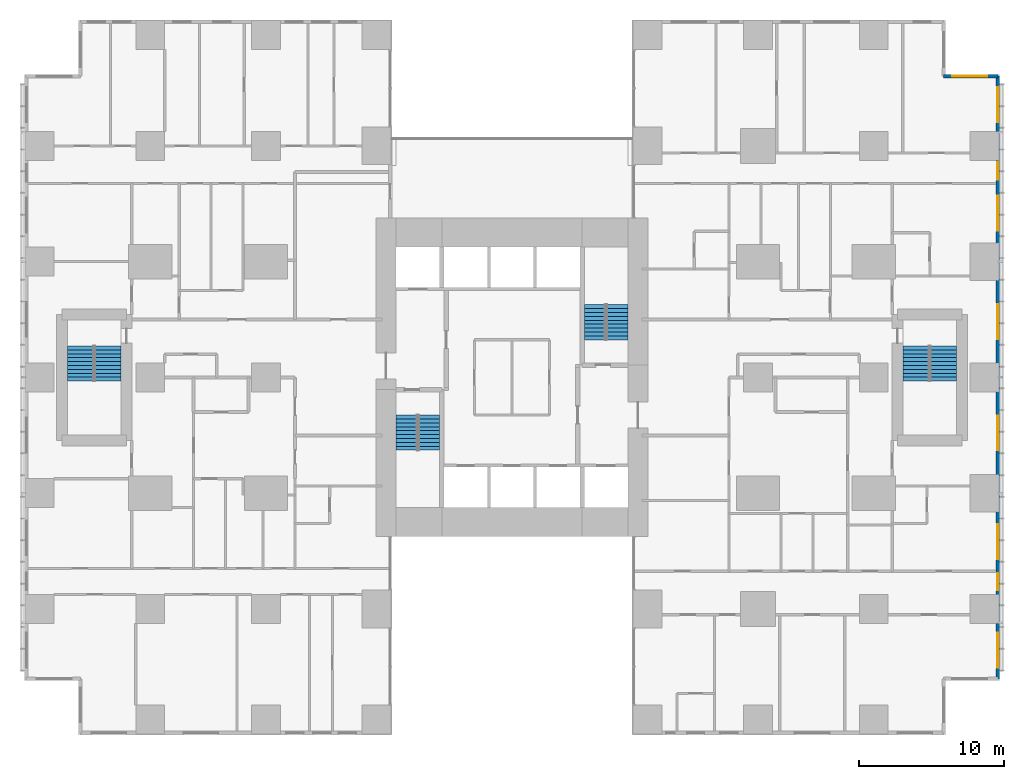
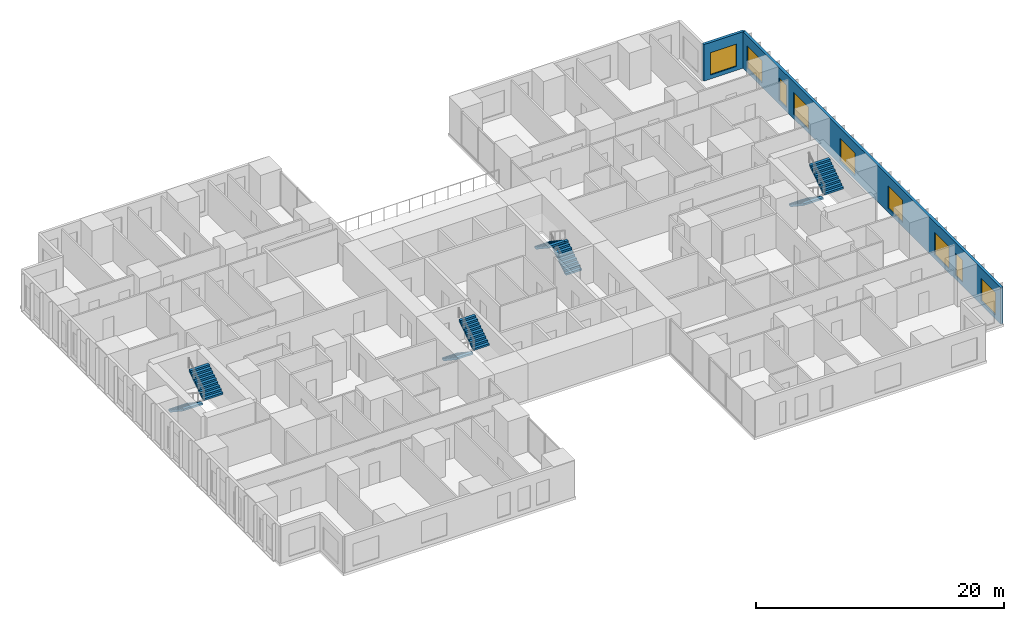
# One storey, part 19 of 20: 9 windows, 8 stair flights, 2 walls, 9 openings, 4 elements without a shape of their own.
"""IFC4 building model written with IfcOpenShell, lengths in metres."""

from ifc_helpers import new_model, si_unit, direction, frame, frame_2d, origin, place, context, subcontext, project, spatial, polyline, rectangle, outline, extrude, material, layer, layer_set, type_object, element, fill, aggregate, save


model = new_model("IFC4")

# Units and contexts
model_context = context("Model", 3, precision=1e-05, world=origin(), true_north=direction((0.0, 1.0)))
body_context = subcontext(model_context, "Body", "Model", "MODEL_VIEW")
ifc_project = project(units=[si_unit("LENGTHUNIT", "METRE"), si_unit("AREAUNIT", "SQUARE_METRE"), si_unit("VOLUMEUNIT", "CUBIC_METRE"), si_unit("PLANEANGLEUNIT", "RADIAN"), si_unit("MASSUNIT", "GRAM", prefix="KILO")], contexts=[model_context])

# Site, building, storey
site_placement = place(None, origin())
site = spatial("IfcSite", under=ifc_project, at=site_placement, CompositionType="ELEMENT")
building_placement = place(site_placement, origin())
building = spatial("IfcBuilding", under=site, at=building_placement, Name="Cleftline Residences", CompositionType="ELEMENT")
storey_placement = place(building_placement, frame((0.0, 0.0, 96.199951171875)))
storey = spatial("IfcBuildingStorey", under=building, at=storey_placement, Name="L24", CompositionType="ELEMENT", Elevation=96.199951171875)

# Wall, openings, windows
ifc_material_1 = material(Name="Rendered reinforced concrete blockwork", Category="masonry")
ifc_layer = layer(ifc_material_1, 0.25)
ifc_layer_set = layer_set([ifc_layer], Name="EXTERNAL WALL 250")
wall_type = type_object("IfcWallType", Name="EXTERNAL WALL 250", PredefinedType="SOLIDWALL", material=ifc_layer_set)
wall_1_placement = place(storey_placement, frame((66.574951171875, 3.175048828125, 0.0), z_axis=(0.0, 0.0, 1.0), x_axis=(0.0, 1.0, 0.0)))
wall_1 = element("IfcWall", 1, at=wall_1_placement, inside=storey, type_object=wall_type, Name="External wall", PredefinedType="SOLIDWALL", context=body_context, shape_type="SweptSolid", body=[
    extrude(rectangle(XDim=41.64990234375, YDim=0.25, at=frame_2d((20.824951171875, 0.0))), origin(), (0.0, 0.0, 1.0), 3.60009765625),
])
opening_1_placement = place(wall_1_placement, frame((0.77490234375, 0.0, 0.39990234375)))
opening_1 = element("IfcOpeningElement", 2, at=opening_1_placement, cuts=wall_1, Name="Opening W12", PredefinedType="OPENING", context=body_context, shape_type="SweptSolid", body=[
    extrude(rectangle(XDim=2.39990234375, YDim=2.199951171875, at=frame_2d((1.199951171875, 1.10009765625))), frame((0.0, 0.135009765625, 0.0), z_axis=(0.0, -1.0, 0.0), x_axis=(1.0, 0.0, 0.0)), (0.0, 0.0, 1.0), 0.27001953125),
])
opening_2_placement = place(wall_1_placement, frame((6.10009765625, 0.0, 0.39990234375)))
opening_2 = element("IfcOpeningElement", 3, at=opening_2_placement, cuts=wall_1, Name="Opening W11", PredefinedType="OPENING", context=body_context, shape_type="SweptSolid", body=[
    extrude(rectangle(XDim=1.199951171875, YDim=2.199951171875, at=frame_2d((0.60009765625, 1.10009765625))), frame((0.0, 0.135009765625, 0.0), z_axis=(0.0, -1.0, 0.0), x_axis=(1.0, 0.0, 0.0)), (0.0, 0.0, 1.0), 0.27001953125),
])
opening_3_placement = place(wall_1_placement, frame((8.27490234375, 0.0, 0.39990234375)))
opening_3 = element("IfcOpeningElement", 4, at=opening_3_placement, cuts=wall_1, Name="Opening W12", PredefinedType="OPENING", context=body_context, shape_type="SweptSolid", body=[
    extrude(rectangle(XDim=2.39990234375, YDim=2.199951171875, at=frame_2d((1.199951171875, 1.10009765625))), frame((0.0, 0.135009765625, 0.0), z_axis=(0.0, -1.0, 0.0), x_axis=(1.0, 0.0, 0.0)), (0.0, 0.0, 1.0), 0.27001953125),
])
opening_4_placement = place(wall_1_placement, frame((15.77490234375, 0.0, 0.39990234375)))
opening_4 = element("IfcOpeningElement", 5, at=opening_4_placement, cuts=wall_1, Name="Opening W12", PredefinedType="OPENING", context=body_context, shape_type="SweptSolid", body=[
    extrude(rectangle(XDim=2.39990234375, YDim=2.199951171875, at=frame_2d((1.199951171875, 1.10009765625))), frame((0.0, 0.135009765625, 0.0), z_axis=(0.0, -1.0, 0.0), x_axis=(1.0, 0.0, 0.0)), (0.0, 0.0, 1.0), 0.27001953125),
])
opening_5_placement = place(wall_1_placement, frame((23.47509765625, 0.0, 0.39990234375)))
opening_5 = element("IfcOpeningElement", 6, at=opening_5_placement, cuts=wall_1, Name="Opening W12", PredefinedType="OPENING", context=body_context, shape_type="SweptSolid", body=[
    extrude(rectangle(XDim=2.39990234375, YDim=2.199951171875, at=frame_2d((1.199951171875, 1.10009765625))), frame((0.0, 0.135009765625, 0.0), z_axis=(0.0, -1.0, 0.0), x_axis=(1.0, 0.0, 0.0)), (0.0, 0.0, 1.0), 0.27001953125),
])
opening_6_placement = place(wall_1_placement, frame((30.97509765625, 0.0, 0.39990234375)))
opening_6 = element("IfcOpeningElement", 7, at=opening_6_placement, cuts=wall_1, Name="Opening W12", PredefinedType="OPENING", context=body_context, shape_type="SweptSolid", body=[
    extrude(rectangle(XDim=2.39990234375, YDim=2.199951171875, at=frame_2d((1.199951171875, 1.10009765625))), frame((0.0, 0.135009765625, 0.0), z_axis=(0.0, -1.0, 0.0), x_axis=(1.0, 0.0, 0.0)), (0.0, 0.0, 1.0), 0.27001953125),
])
opening_7_placement = place(wall_1_placement, frame((34.5, 0.0, 0.39990234375)))
opening_7 = element("IfcOpeningElement", 8, at=opening_7_placement, cuts=wall_1, Name="Opening W11", PredefinedType="OPENING", context=body_context, shape_type="SweptSolid", body=[
    extrude(rectangle(XDim=1.199951171875, YDim=2.199951171875, at=frame_2d((0.60009765625, 1.10009765625))), frame((0.0, 0.135009765625, 0.0), z_axis=(0.0, -1.0, 0.0), x_axis=(1.0, 0.0, 0.0)), (0.0, 0.0, 1.0), 0.27001953125),
])
opening_8_placement = place(wall_1_placement, frame((38.47509765625, 0.0, 0.39990234375)))
opening_8 = element("IfcOpeningElement", 9, at=opening_8_placement, cuts=wall_1, Name="Opening W12", PredefinedType="OPENING", context=body_context, shape_type="SweptSolid", body=[
    extrude(rectangle(XDim=2.39990234375, YDim=2.199951171875, at=frame_2d((1.199951171875, 1.10009765625))), frame((0.0, 0.135009765625, 0.0), z_axis=(0.0, -1.0, 0.0), x_axis=(1.0, 0.0, 0.0)), (0.0, 0.0, 1.0), 0.27001953125),
])
ifc_material_2 = material(Name="Aluminium frame, clear double glazing", Category="aluminium")
window_type_1 = type_object("IfcWindowType", Name="WINDOW 1200X2200", PartitioningType="DOUBLE_PANEL_VERTICAL", PredefinedType="WINDOW", material=ifc_material_2)
window_1_placement = place(opening_2_placement, origin())
window_1 = element("IfcWindow", 10, at=window_1_placement, inside=storey, type_object=window_type_1, Name="Window", OverallHeight=2.199951171875, OverallWidth=1.199951171875, PartitioningType="SINGLE_PANEL", PredefinedType="WINDOW", context=body_context, shape_type="SweptSolid", body=[
    extrude(rectangle(XDim=1.199951171875, YDim=2.199951171875, at=frame_2d((0.60009765625, 1.10009765625))), frame((0.0, 0.030029296875, 0.0), z_axis=(0.0, -1.0, 0.0), x_axis=(1.0, 0.0, 0.0)), (0.0, 0.0, 1.0), 0.06005859375),
])
fill(opening_2, window_1)
window_2_placement = place(opening_7_placement, origin())
window_2 = element("IfcWindow", 11, at=window_2_placement, inside=storey, type_object=window_type_1, Name="Window", OverallHeight=2.199951171875, OverallWidth=1.199951171875, PartitioningType="SINGLE_PANEL", PredefinedType="WINDOW", context=body_context, shape_type="SweptSolid", body=[
    extrude(rectangle(XDim=1.199951171875, YDim=2.199951171875, at=frame_2d((0.60009765625, 1.10009765625))), frame((0.0, 0.030029296875, 0.0), z_axis=(0.0, -1.0, 0.0), x_axis=(1.0, 0.0, 0.0)), (0.0, 0.0, 1.0), 0.06005859375),
])
fill(opening_7, window_2)
ifc_material_3 = material(Name="Aluminium frame, clear double glazing", Category="aluminium")
window_type_2 = type_object("IfcWindowType", Name="WINDOW 2400X2200", PartitioningType="DOUBLE_PANEL_VERTICAL", PredefinedType="WINDOW", material=ifc_material_3)
window_3_placement = place(opening_1_placement, origin())
window_3 = element("IfcWindow", 12, at=window_3_placement, inside=storey, type_object=window_type_2, Name="Window", OverallHeight=2.199951171875, OverallWidth=2.39990234375, PartitioningType="SINGLE_PANEL", PredefinedType="WINDOW", context=body_context, shape_type="SweptSolid", body=[
    extrude(rectangle(XDim=2.39990234375, YDim=2.199951171875, at=frame_2d((1.199951171875, 1.10009765625))), frame((0.0, 0.030029296875, 0.0), z_axis=(0.0, -1.0, 0.0), x_axis=(1.0, 0.0, 0.0)), (0.0, 0.0, 1.0), 0.06005859375),
])
fill(opening_1, window_3)
window_4_placement = place(opening_3_placement, origin())
window_4 = element("IfcWindow", 13, at=window_4_placement, inside=storey, type_object=window_type_2, Name="Window", OverallHeight=2.199951171875, OverallWidth=2.39990234375, PartitioningType="SINGLE_PANEL", PredefinedType="WINDOW", context=body_context, shape_type="SweptSolid", body=[
    extrude(rectangle(XDim=2.39990234375, YDim=2.199951171875, at=frame_2d((1.199951171875, 1.10009765625))), frame((0.0, 0.030029296875, 0.0), z_axis=(0.0, -1.0, 0.0), x_axis=(1.0, 0.0, 0.0)), (0.0, 0.0, 1.0), 0.06005859375),
])
fill(opening_3, window_4)
window_5_placement = place(opening_4_placement, origin())
window_5 = element("IfcWindow", 14, at=window_5_placement, inside=storey, type_object=window_type_2, Name="Window", OverallHeight=2.199951171875, OverallWidth=2.39990234375, PartitioningType="SINGLE_PANEL", PredefinedType="WINDOW", context=body_context, shape_type="SweptSolid", body=[
    extrude(rectangle(XDim=2.39990234375, YDim=2.199951171875, at=frame_2d((1.199951171875, 1.10009765625))), frame((0.0, 0.030029296875, 0.0), z_axis=(0.0, -1.0, 0.0), x_axis=(1.0, 0.0, 0.0)), (0.0, 0.0, 1.0), 0.06005859375),
])
fill(opening_4, window_5)
window_6_placement = place(opening_5_placement, origin())
window_6 = element("IfcWindow", 15, at=window_6_placement, inside=storey, type_object=window_type_2, Name="Window", OverallHeight=2.199951171875, OverallWidth=2.39990234375, PartitioningType="SINGLE_PANEL", PredefinedType="WINDOW", context=body_context, shape_type="SweptSolid", body=[
    extrude(rectangle(XDim=2.39990234375, YDim=2.199951171875, at=frame_2d((1.199951171875, 1.10009765625))), frame((0.0, 0.030029296875, 0.0), z_axis=(0.0, -1.0, 0.0), x_axis=(1.0, 0.0, 0.0)), (0.0, 0.0, 1.0), 0.06005859375),
])
fill(opening_5, window_6)
window_7_placement = place(opening_6_placement, origin())
window_7 = element("IfcWindow", 16, at=window_7_placement, inside=storey, type_object=window_type_2, Name="Window", OverallHeight=2.199951171875, OverallWidth=2.39990234375, PartitioningType="SINGLE_PANEL", PredefinedType="WINDOW", context=body_context, shape_type="SweptSolid", body=[
    extrude(rectangle(XDim=2.39990234375, YDim=2.199951171875, at=frame_2d((1.199951171875, 1.10009765625))), frame((0.0, 0.030029296875, 0.0), z_axis=(0.0, -1.0, 0.0), x_axis=(1.0, 0.0, 0.0)), (0.0, 0.0, 1.0), 0.06005859375),
])
fill(opening_6, window_7)
window_8_placement = place(opening_8_placement, origin())
window_8 = element("IfcWindow", 17, at=window_8_placement, inside=storey, type_object=window_type_2, Name="Window", OverallHeight=2.199951171875, OverallWidth=2.39990234375, PartitioningType="SINGLE_PANEL", PredefinedType="WINDOW", context=body_context, shape_type="SweptSolid", body=[
    extrude(rectangle(XDim=2.39990234375, YDim=2.199951171875, at=frame_2d((1.199951171875, 1.10009765625))), frame((0.0, 0.030029296875, 0.0), z_axis=(0.0, -1.0, 0.0), x_axis=(1.0, 0.0, 0.0)), (0.0, 0.0, 1.0), 0.06005859375),
])
fill(opening_8, window_8)

# Wall, opening, window
wall_2_placement = place(storey_placement, frame((66.574951171875, 44.824951171875, 0.0), z_axis=(0.0, 0.0, 1.0), x_axis=(-1.0, 0.0, 0.0)))
wall_2 = element("IfcWall", 18, at=wall_2_placement, inside=storey, type_object=wall_type, Name="External wall", PredefinedType="SOLIDWALL", context=body_context, shape_type="SweptSolid", body=[
    extrude(rectangle(XDim=3.75, YDim=0.25, at=frame_2d((1.875, 0.0))), origin(), (0.0, 0.0, 1.0), 3.60009765625),
])
opening_9_placement = place(wall_2_placement, frame((0.737548828125, 0.0, 0.39990234375)))
opening_9 = element("IfcOpeningElement", 19, at=opening_9_placement, cuts=wall_2, Name="Opening W12", PredefinedType="OPENING", context=body_context, shape_type="SweptSolid", body=[
    extrude(rectangle(XDim=2.39990234375, YDim=2.199951171875, at=frame_2d((1.199951171875, 1.10009765625))), frame((0.0, 0.135009765625, 0.0), z_axis=(0.0, -1.0, 0.0), x_axis=(1.0, 0.0, 0.0)), (0.0, 0.0, 1.0), 0.27001953125),
])
window_9_placement = place(opening_9_placement, origin())
window_9 = element("IfcWindow", 20, at=window_9_placement, inside=storey, type_object=window_type_2, Name="Window", OverallHeight=2.199951171875, OverallWidth=2.39990234375, PartitioningType="SINGLE_PANEL", PredefinedType="WINDOW", context=body_context, shape_type="SweptSolid", body=[
    extrude(rectangle(XDim=2.39990234375, YDim=2.199951171875, at=frame_2d((1.199951171875, 1.10009765625))), frame((0.0, 0.030029296875, 0.0), z_axis=(0.0, -1.0, 0.0), x_axis=(1.0, 0.0, 0.0)), (0.0, 0.0, 1.0), 0.06005859375),
])
fill(opening_9, window_9)

# Stair, stair flights
ifc_material_4 = material(Name="Concrete B45, stone treads", Category="masonry")
stair_type_1 = type_object("IfcStairType", Name="STAIR A 1450 WIDE 180 RISER", PredefinedType="HALF_TURN_STAIR", material=ifc_material_4)
stair_1_placement = place(storey_placement, origin())
stair_1 = element("IfcStair", 21, at=stair_1_placement, inside=storey, type_object=stair_type_1, Name="Stair A L24", PredefinedType="HALF_TURN_STAIR")
ifc_material_5 = material(Name="Concrete B45", Category="concrete")
stair_flight_type_1 = type_object("IfcStairFlightType", Name="STAIR A FLIGHT 1450X180", PredefinedType="STRAIGHT", material=ifc_material_5)
stair_flight_1_placement = place(storey_placement, frame((25.72509765625, 21.39990234375, 0.0), z_axis=(0.0, 0.0, 1.0), x_axis=(0.0, -1.0, 0.0)))
stair_flight_1 = element("IfcStairFlight", 22, at=stair_flight_1_placement, type_object=stair_flight_type_1, Name="ST-A flight 1", NumberOfRisers=10, NumberOfTreads=9, PredefinedType="STRAIGHT", RiserHeight=0.18, TreadLength=0.27, context=body_context, shape_type="SweptSolid", body=[
    extrude(outline(polyline([(0.0, 0.0), (0.0, 0.013916015625), (0.0, 0.027587890625), (0.0, 0.04150390625), (0.0, 0.055419921875), (0.0, 0.0693359375), (0.0, 0.0830078125), (0.0, 0.096923828125), (0.0, 0.11083984375), (0.0, 0.12451171875), (0.0, 0.138427734375), (0.0, 0.15234375), (0.0, 0.166259765625), (0.0, 0.179931640625), (0.27001953125, 0.179931640625), (0.27001953125, 0.360107421875), (0.5400390625, 0.360107421875), (0.5400390625, 0.5400390625), (0.81005859375, 0.5400390625), (0.81005859375, 0.719970703125), (1.080078125, 0.719970703125), (1.080078125, 0.89990234375), (1.35009765625, 0.89990234375), (1.35009765625, 1.080078125), (1.6201171875, 1.080078125), (1.6201171875, 1.260009765625), (1.889892578125, 1.260009765625), (1.889892578125, 1.43994140625), (2.159912109375, 1.43994140625), (2.159912109375, 1.6201171875), (2.429931640625, 1.6201171875), (2.429931640625, 1.800048828125), (2.429931640625, 1.772216796875), (2.429931640625, 1.74462890625), (2.429931640625, 1.716796875), (2.429931640625, 1.689208984375), (2.429931640625, 1.661376953125), (2.429931640625, 1.6337890625), (2.429931640625, 1.60595703125), (2.429931640625, 1.578369140625), (2.429931640625, 1.550537109375), (2.429931640625, 1.52294921875), (2.429931640625, 1.495361328125), (2.429931640625, 1.467529296875), (2.429931640625, 1.43994140625), (0.270263671875, 0.0), (0.0, 0.0)])), frame((0.0, 0.72509765625, 0.0), z_axis=(0.0, -1.0, 0.0), x_axis=(1.0, 0.0, 0.0)), (0.0, 0.0, 1.0), 1.449951171875),
])
stair_flight_2_placement = place(storey_placement, frame((27.27490234375, 18.969970703125, 1.800048828125), z_axis=(0.0, 0.0, 1.0), x_axis=(0.0, 1.0, 0.0)))
stair_flight_2 = element("IfcStairFlight", 23, at=stair_flight_2_placement, type_object=stair_flight_type_1, Name="ST-A flight 2", NumberOfRisers=10, NumberOfTreads=9, PredefinedType="STRAIGHT", RiserHeight=0.18, TreadLength=0.27, context=body_context, shape_type="SweptSolid", body=[
    extrude(outline(polyline([(0.0, 0.0), (0.0, 0.013916015625), (0.0, 0.027587890625), (0.0, 0.04150390625), (0.0, 0.055419921875), (0.0, 0.0693359375), (0.0, 0.0830078125), (0.0, 0.096923828125), (0.0, 0.11083984375), (0.0, 0.12451171875), (0.0, 0.138427734375), (0.0, 0.15234375), (0.0, 0.166259765625), (0.0, 0.179931640625), (0.27001953125, 0.179931640625), (0.27001953125, 0.360107421875), (0.5400390625, 0.360107421875), (0.5400390625, 0.5400390625), (0.81005859375, 0.5400390625), (0.81005859375, 0.719970703125), (1.080078125, 0.719970703125), (1.080078125, 0.89990234375), (1.35009765625, 0.89990234375), (1.35009765625, 1.080078125), (1.6201171875, 1.080078125), (1.6201171875, 1.260009765625), (1.889892578125, 1.260009765625), (1.889892578125, 1.43994140625), (2.159912109375, 1.43994140625), (2.159912109375, 1.6201171875), (2.429931640625, 1.6201171875), (2.429931640625, 1.800048828125), (2.429931640625, 1.772216796875), (2.429931640625, 1.74462890625), (2.429931640625, 1.716796875), (2.429931640625, 1.689208984375), (2.429931640625, 1.661376953125), (2.429931640625, 1.6337890625), (2.429931640625, 1.60595703125), (2.429931640625, 1.578369140625), (2.429931640625, 1.550537109375), (2.429931640625, 1.52294921875), (2.429931640625, 1.495361328125), (2.429931640625, 1.467529296875), (2.429931640625, 1.43994140625), (0.270263671875, 0.0), (0.0, 0.0)])), frame((0.0, 0.72509765625, 0.0), z_axis=(0.0, -1.0, 0.0), x_axis=(1.0, 0.0, 0.0)), (0.0, 0.0, 1.0), 1.449951171875),
])
aggregate(stair_1, [stair_flight_1, stair_flight_2])

ifc_material_6 = material(Name="Concrete B45, stone treads", Category="masonry")
stair_type_2 = type_object("IfcStairType", Name="STAIR B 1450 WIDE 180 RISER", PredefinedType="HALF_TURN_STAIR", material=ifc_material_6)
stair_2_placement = place(storey_placement, origin())
stair_2 = element("IfcStair", 24, at=stair_2_placement, inside=storey, type_object=stair_type_2, Name="Stair B L24", PredefinedType="HALF_TURN_STAIR")
ifc_material_7 = material(Name="Concrete B45", Category="concrete")
stair_flight_type_2 = type_object("IfcStairFlightType", Name="STAIR B FLIGHT 1450X180", PredefinedType="STRAIGHT", material=ifc_material_7)
stair_flight_3_placement = place(storey_placement, frame((40.27490234375, 26.60009765625, 0.0), z_axis=(0.0, 0.0, 1.0), x_axis=(0.0, 1.0, 0.0)))
stair_flight_3 = element("IfcStairFlight", 25, at=stair_flight_3_placement, type_object=stair_flight_type_2, Name="ST-B flight 1", NumberOfRisers=10, NumberOfTreads=9, PredefinedType="STRAIGHT", RiserHeight=0.18, TreadLength=0.27, context=body_context, shape_type="SweptSolid", body=[
    extrude(outline(polyline([(0.0, 0.0), (0.0, 0.013916015625), (0.0, 0.027587890625), (0.0, 0.04150390625), (0.0, 0.055419921875), (0.0, 0.0693359375), (0.0, 0.0830078125), (0.0, 0.096923828125), (0.0, 0.11083984375), (0.0, 0.12451171875), (0.0, 0.138427734375), (0.0, 0.15234375), (0.0, 0.166259765625), (0.0, 0.179931640625), (0.27001953125, 0.179931640625), (0.27001953125, 0.360107421875), (0.5400390625, 0.360107421875), (0.5400390625, 0.5400390625), (0.81005859375, 0.5400390625), (0.81005859375, 0.719970703125), (1.080078125, 0.719970703125), (1.080078125, 0.89990234375), (1.35009765625, 0.89990234375), (1.35009765625, 1.080078125), (1.6201171875, 1.080078125), (1.6201171875, 1.260009765625), (1.889892578125, 1.260009765625), (1.889892578125, 1.43994140625), (2.159912109375, 1.43994140625), (2.159912109375, 1.6201171875), (2.429931640625, 1.6201171875), (2.429931640625, 1.800048828125), (2.429931640625, 1.772216796875), (2.429931640625, 1.74462890625), (2.429931640625, 1.716796875), (2.429931640625, 1.689208984375), (2.429931640625, 1.661376953125), (2.429931640625, 1.6337890625), (2.429931640625, 1.60595703125), (2.429931640625, 1.578369140625), (2.429931640625, 1.550537109375), (2.429931640625, 1.52294921875), (2.429931640625, 1.495361328125), (2.429931640625, 1.467529296875), (2.429931640625, 1.43994140625), (0.270263671875, 0.0), (0.0, 0.0)])), frame((0.0, 0.72509765625, 0.0), z_axis=(0.0, -1.0, 0.0), x_axis=(1.0, 0.0, 0.0)), (0.0, 0.0, 1.0), 1.449951171875),
])
stair_flight_4_placement = place(storey_placement, frame((38.72509765625, 29.030029296875, 1.800048828125), z_axis=(0.0, 0.0, 1.0), x_axis=(0.0, -1.0, 0.0)))
stair_flight_4 = element("IfcStairFlight", 26, at=stair_flight_4_placement, type_object=stair_flight_type_2, Name="ST-B flight 2", NumberOfRisers=10, NumberOfTreads=9, PredefinedType="STRAIGHT", RiserHeight=0.18, TreadLength=0.27, context=body_context, shape_type="SweptSolid", body=[
    extrude(outline(polyline([(0.0, 0.0), (0.0, 0.013916015625), (0.0, 0.027587890625), (0.0, 0.04150390625), (0.0, 0.055419921875), (0.0, 0.0693359375), (0.0, 0.0830078125), (0.0, 0.096923828125), (0.0, 0.11083984375), (0.0, 0.12451171875), (0.0, 0.138427734375), (0.0, 0.15234375), (0.0, 0.166259765625), (0.0, 0.179931640625), (0.27001953125, 0.179931640625), (0.27001953125, 0.360107421875), (0.5400390625, 0.360107421875), (0.5400390625, 0.5400390625), (0.81005859375, 0.5400390625), (0.81005859375, 0.719970703125), (1.080078125, 0.719970703125), (1.080078125, 0.89990234375), (1.35009765625, 0.89990234375), (1.35009765625, 1.080078125), (1.6201171875, 1.080078125), (1.6201171875, 1.260009765625), (1.889892578125, 1.260009765625), (1.889892578125, 1.43994140625), (2.159912109375, 1.43994140625), (2.159912109375, 1.6201171875), (2.429931640625, 1.6201171875), (2.429931640625, 1.800048828125), (2.429931640625, 1.772216796875), (2.429931640625, 1.74462890625), (2.429931640625, 1.716796875), (2.429931640625, 1.689208984375), (2.429931640625, 1.661376953125), (2.429931640625, 1.6337890625), (2.429931640625, 1.60595703125), (2.429931640625, 1.578369140625), (2.429931640625, 1.550537109375), (2.429931640625, 1.52294921875), (2.429931640625, 1.495361328125), (2.429931640625, 1.467529296875), (2.429931640625, 1.43994140625), (0.270263671875, 0.0), (0.0, 0.0)])), frame((0.0, 0.72509765625, 0.0), z_axis=(0.0, -1.0, 0.0), x_axis=(1.0, 0.0, 0.0)), (0.0, 0.0, 1.0), 1.449951171875),
])
aggregate(stair_2, [stair_flight_3, stair_flight_4])

ifc_material_8 = material(Name="Concrete B45, stone treads", Category="masonry")
stair_type_3 = type_object("IfcStairType", Name="STAIR E 1800 WIDE 180 RISER", PredefinedType="HALF_TURN_STAIR", material=ifc_material_8)
stair_3_placement = place(storey_placement, origin())
stair_3 = element("IfcStair", 27, at=stair_3_placement, inside=storey, type_object=stair_type_3, Name="Stair E L24", PredefinedType="HALF_TURN_STAIR")
ifc_material_9 = material(Name="Concrete B45", Category="concrete")
stair_flight_type_3 = type_object("IfcStairFlightType", Name="STAIR E FLIGHT 1800X180", PredefinedType="STRAIGHT", material=ifc_material_9)
stair_flight_5_placement = place(storey_placement, frame((60.925048828125, 26.175048828125, 0.0), z_axis=(0.0, 0.0, 1.0), x_axis=(0.0, -1.0, 0.0)))
stair_flight_5 = element("IfcStairFlight", 28, at=stair_flight_5_placement, type_object=stair_flight_type_3, Name="ST-E flight 1", NumberOfRisers=10, NumberOfTreads=9, PredefinedType="STRAIGHT", RiserHeight=0.18, TreadLength=0.27, context=body_context, shape_type="SweptSolid", body=[
    extrude(outline(polyline([(0.0, 0.0), (0.0, 0.013916015625), (0.0, 0.027587890625), (0.0, 0.04150390625), (0.0, 0.055419921875), (0.0, 0.0693359375), (0.0, 0.0830078125), (0.0, 0.096923828125), (0.0, 0.11083984375), (0.0, 0.12451171875), (0.0, 0.138427734375), (0.0, 0.15234375), (0.0, 0.166259765625), (0.0, 0.179931640625), (0.27001953125, 0.179931640625), (0.27001953125, 0.360107421875), (0.5400390625, 0.360107421875), (0.5400390625, 0.5400390625), (0.81005859375, 0.5400390625), (0.81005859375, 0.719970703125), (1.080078125, 0.719970703125), (1.080078125, 0.89990234375), (1.35009765625, 0.89990234375), (1.35009765625, 1.080078125), (1.6201171875, 1.080078125), (1.6201171875, 1.260009765625), (1.889892578125, 1.260009765625), (1.889892578125, 1.43994140625), (2.159912109375, 1.43994140625), (2.159912109375, 1.6201171875), (2.429931640625, 1.6201171875), (2.429931640625, 1.800048828125), (2.429931640625, 1.772216796875), (2.429931640625, 1.74462890625), (2.429931640625, 1.716796875), (2.429931640625, 1.689208984375), (2.429931640625, 1.661376953125), (2.429931640625, 1.6337890625), (2.429931640625, 1.60595703125), (2.429931640625, 1.578369140625), (2.429931640625, 1.550537109375), (2.429931640625, 1.52294921875), (2.429931640625, 1.495361328125), (2.429931640625, 1.467529296875), (2.429931640625, 1.43994140625), (0.270263671875, 0.0), (0.0, 0.0)])), frame((0.0, 0.89990234375, 0.0), z_axis=(0.0, -1.0, 0.0), x_axis=(1.0, 0.0, 0.0)), (0.0, 0.0, 1.0), 1.800048828125),
])
stair_flight_6_placement = place(storey_placement, frame((62.824951171875, 23.7451171875, 1.800048828125), z_axis=(0.0, 0.0, 1.0), x_axis=(0.0, 1.0, 0.0)))
stair_flight_6 = element("IfcStairFlight", 29, at=stair_flight_6_placement, type_object=stair_flight_type_3, Name="ST-E flight 2", NumberOfRisers=10, NumberOfTreads=9, PredefinedType="STRAIGHT", RiserHeight=0.18, TreadLength=0.27, context=body_context, shape_type="SweptSolid", body=[
    extrude(outline(polyline([(0.0, 0.0), (0.0, 0.013916015625), (0.0, 0.027587890625), (0.0, 0.04150390625), (0.0, 0.055419921875), (0.0, 0.0693359375), (0.0, 0.0830078125), (0.0, 0.096923828125), (0.0, 0.11083984375), (0.0, 0.12451171875), (0.0, 0.138427734375), (0.0, 0.15234375), (0.0, 0.166259765625), (0.0, 0.179931640625), (0.27001953125, 0.179931640625), (0.27001953125, 0.360107421875), (0.5400390625, 0.360107421875), (0.5400390625, 0.5400390625), (0.81005859375, 0.5400390625), (0.81005859375, 0.719970703125), (1.080078125, 0.719970703125), (1.080078125, 0.89990234375), (1.35009765625, 0.89990234375), (1.35009765625, 1.080078125), (1.6201171875, 1.080078125), (1.6201171875, 1.260009765625), (1.889892578125, 1.260009765625), (1.889892578125, 1.43994140625), (2.159912109375, 1.43994140625), (2.159912109375, 1.6201171875), (2.429931640625, 1.6201171875), (2.429931640625, 1.800048828125), (2.429931640625, 1.772216796875), (2.429931640625, 1.74462890625), (2.429931640625, 1.716796875), (2.429931640625, 1.689208984375), (2.429931640625, 1.661376953125), (2.429931640625, 1.6337890625), (2.429931640625, 1.60595703125), (2.429931640625, 1.578369140625), (2.429931640625, 1.550537109375), (2.429931640625, 1.52294921875), (2.429931640625, 1.495361328125), (2.429931640625, 1.467529296875), (2.429931640625, 1.43994140625), (0.270263671875, 0.0), (0.0, 0.0)])), frame((0.0, 0.89990234375, 0.0), z_axis=(0.0, -1.0, 0.0), x_axis=(1.0, 0.0, 0.0)), (0.0, 0.0, 1.0), 1.800048828125),
])
aggregate(stair_3, [stair_flight_5, stair_flight_6])

ifc_material_10 = material(Name="Concrete B45, stone treads", Category="masonry")
stair_type_4 = type_object("IfcStairType", Name="STAIR W 1800 WIDE 180 RISER", PredefinedType="HALF_TURN_STAIR", material=ifc_material_10)
stair_4_placement = place(storey_placement, origin())
stair_4 = element("IfcStair", 30, at=stair_4_placement, inside=storey, type_object=stair_type_4, Name="Stair W L24", PredefinedType="HALF_TURN_STAIR")
ifc_material_11 = material(Name="Concrete B45", Category="concrete")
stair_flight_type_4 = type_object("IfcStairFlightType", Name="STAIR W FLIGHT 1800X180", PredefinedType="STRAIGHT", material=ifc_material_11)
stair_flight_7_placement = place(storey_placement, frame((3.175048828125, 26.175048828125, 0.0), z_axis=(0.0, 0.0, 1.0), x_axis=(0.0, -1.0, 0.0)))
stair_flight_7 = element("IfcStairFlight", 31, at=stair_flight_7_placement, type_object=stair_flight_type_4, Name="ST-W flight 1", NumberOfRisers=10, NumberOfTreads=9, PredefinedType="STRAIGHT", RiserHeight=0.18, TreadLength=0.27, context=body_context, shape_type="SweptSolid", body=[
    extrude(outline(polyline([(0.0, 0.0), (0.0, 0.013916015625), (0.0, 0.027587890625), (0.0, 0.04150390625), (0.0, 0.055419921875), (0.0, 0.0693359375), (0.0, 0.0830078125), (0.0, 0.096923828125), (0.0, 0.11083984375), (0.0, 0.12451171875), (0.0, 0.138427734375), (0.0, 0.15234375), (0.0, 0.166259765625), (0.0, 0.179931640625), (0.27001953125, 0.179931640625), (0.27001953125, 0.360107421875), (0.5400390625, 0.360107421875), (0.5400390625, 0.5400390625), (0.81005859375, 0.5400390625), (0.81005859375, 0.719970703125), (1.080078125, 0.719970703125), (1.080078125, 0.89990234375), (1.35009765625, 0.89990234375), (1.35009765625, 1.080078125), (1.6201171875, 1.080078125), (1.6201171875, 1.260009765625), (1.889892578125, 1.260009765625), (1.889892578125, 1.43994140625), (2.159912109375, 1.43994140625), (2.159912109375, 1.6201171875), (2.429931640625, 1.6201171875), (2.429931640625, 1.800048828125), (2.429931640625, 1.772216796875), (2.429931640625, 1.74462890625), (2.429931640625, 1.716796875), (2.429931640625, 1.689208984375), (2.429931640625, 1.661376953125), (2.429931640625, 1.6337890625), (2.429931640625, 1.60595703125), (2.429931640625, 1.578369140625), (2.429931640625, 1.550537109375), (2.429931640625, 1.52294921875), (2.429931640625, 1.495361328125), (2.429931640625, 1.467529296875), (2.429931640625, 1.43994140625), (0.270263671875, 0.0), (0.0, 0.0)])), frame((0.0, 0.89990234375, 0.0), z_axis=(0.0, -1.0, 0.0), x_axis=(1.0, 0.0, 0.0)), (0.0, 0.0, 1.0), 1.800048828125),
])
stair_flight_8_placement = place(storey_placement, frame((5.074951171875, 23.7451171875, 1.800048828125), z_axis=(0.0, 0.0, 1.0), x_axis=(0.0, 1.0, 0.0)))
stair_flight_8 = element("IfcStairFlight", 32, at=stair_flight_8_placement, type_object=stair_flight_type_4, Name="ST-W flight 2", NumberOfRisers=10, NumberOfTreads=9, PredefinedType="STRAIGHT", RiserHeight=0.18, TreadLength=0.27, context=body_context, shape_type="SweptSolid", body=[
    extrude(outline(polyline([(0.0, 0.0), (0.0, 0.013916015625), (0.0, 0.027587890625), (0.0, 0.04150390625), (0.0, 0.055419921875), (0.0, 0.0693359375), (0.0, 0.0830078125), (0.0, 0.096923828125), (0.0, 0.11083984375), (0.0, 0.12451171875), (0.0, 0.138427734375), (0.0, 0.15234375), (0.0, 0.166259765625), (0.0, 0.179931640625), (0.27001953125, 0.179931640625), (0.27001953125, 0.360107421875), (0.5400390625, 0.360107421875), (0.5400390625, 0.5400390625), (0.81005859375, 0.5400390625), (0.81005859375, 0.719970703125), (1.080078125, 0.719970703125), (1.080078125, 0.89990234375), (1.35009765625, 0.89990234375), (1.35009765625, 1.080078125), (1.6201171875, 1.080078125), (1.6201171875, 1.260009765625), (1.889892578125, 1.260009765625), (1.889892578125, 1.43994140625), (2.159912109375, 1.43994140625), (2.159912109375, 1.6201171875), (2.429931640625, 1.6201171875), (2.429931640625, 1.800048828125), (2.429931640625, 1.772216796875), (2.429931640625, 1.74462890625), (2.429931640625, 1.716796875), (2.429931640625, 1.689208984375), (2.429931640625, 1.661376953125), (2.429931640625, 1.6337890625), (2.429931640625, 1.60595703125), (2.429931640625, 1.578369140625), (2.429931640625, 1.550537109375), (2.429931640625, 1.52294921875), (2.429931640625, 1.495361328125), (2.429931640625, 1.467529296875), (2.429931640625, 1.43994140625), (0.270263671875, 0.0), (0.0, 0.0)])), frame((0.0, 0.89990234375, 0.0), z_axis=(0.0, -1.0, 0.0), x_axis=(1.0, 0.0, 0.0)), (0.0, 0.0, 1.0), 1.800048828125),
])
aggregate(stair_4, [stair_flight_7, stair_flight_8])

save(model, "model.ifc")
